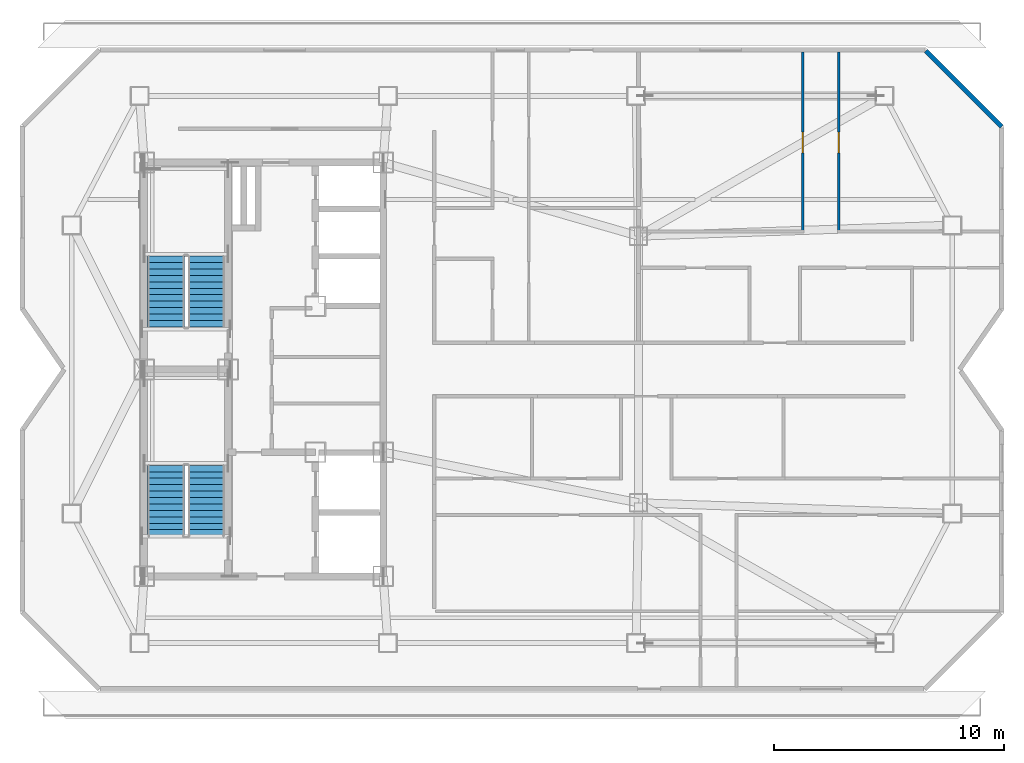
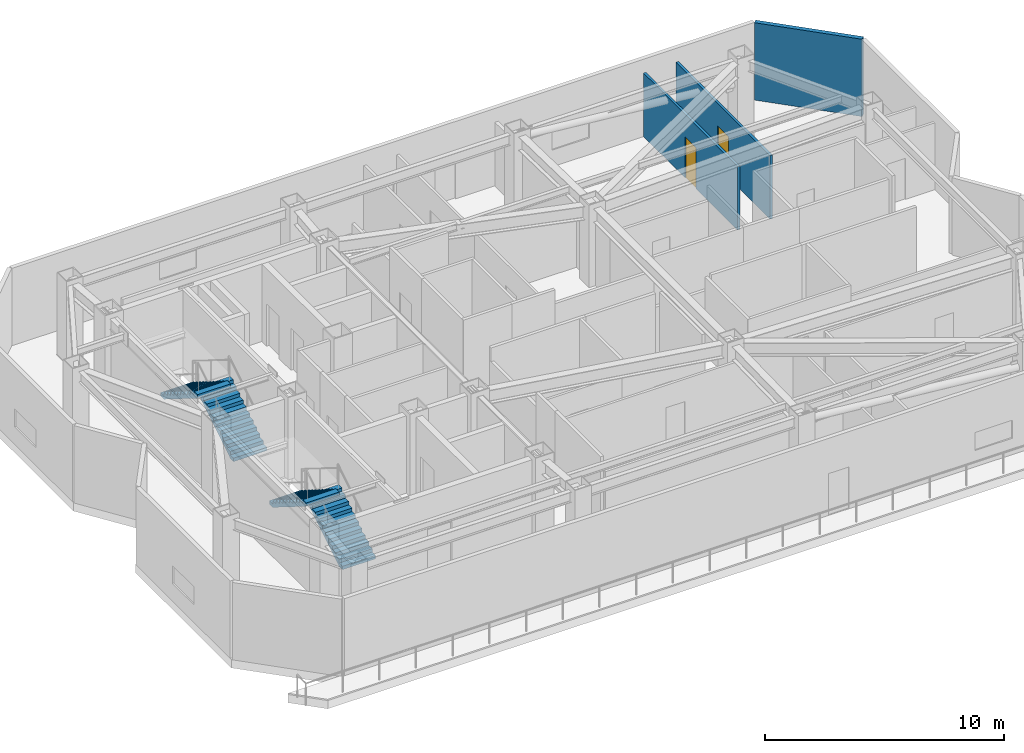
# One storey, part 7 of 11: 4 stair flights, 3 walls, 2 doors, 2 openings, 2 elements without a shape of their own.
"""IFC4 building model written with IfcOpenShell, lengths in metres."""

import ifcopenshell
import ifcopenshell.guid

model = None  # the IFC model being written
_history = None  # IfcOwnerHistory: only IFC2X3 demands one
_inside = {}  # id of a spatial element -> (the spatial element, [elements in it])
_under = {}  # id of a project, library or spatial element -> (it, [spatial elements below it])
_declared = {}  # id of a project -> (the project, [libraries it declares])
_typed = {}  # id of a type object -> (the type object, [elements of that type])
_made_of = {}  # id of a material, layer set ... -> (it, [elements and type objects made of it])


def new_model(schema):
    """Start an empty IFC model of exactly this schema.

    Asked for "IFC4X3", IfcOpenShell would pick the latest addendum, in which some entities
    have other attributes; the version numbers below select the first issue.
    IFC2X3 requires an IfcOwnerHistory on every rooted entity: one is made here for all.
    """
    global model, _history
    if schema == "IFC4X3":
        model = ifcopenshell.file(schema_version=(4, 3, 0, 0))
    else:
        model = ifcopenshell.file(schema=schema)
    _inside.clear()
    _under.clear()
    _declared.clear()
    _typed.clear()
    _made_of.clear()
    _history = None
    if model.schema == "IFC2X3":
        org = make("IfcOrganization", Name="unknown")
        user = make(
            "IfcPersonAndOrganization",
            ThePerson=make("IfcPerson", FamilyName="unknown"),
            TheOrganization=org,
        )
        app = make(
            "IfcApplication",
            ApplicationDeveloper=org,
            Version="unknown",
            ApplicationFullName="unknown",
            ApplicationIdentifier="unknown",
        )
        _history = make(
            "IfcOwnerHistory",
            OwningUser=user,
            OwningApplication=app,
            ChangeAction="ADDED",
            CreationDate=0,
        )
    return model


def make(cls, **values):
    """One entity of the class cls with the attributes given. An attribute that is None is left unset."""
    return model.create_entity(
        cls, **{name: value for name, value in values.items() if value is not None}
    )


def rooted(cls, **values):
    """An entity with a GlobalId (a new one), such as an element, a storey or a relation."""
    return make(cls, GlobalId=ifcopenshell.guid.new(), OwnerHistory=_history, **values)


def si_unit(unit_type, name, prefix=None):
    """IfcSIUnit, for example si_unit("LENGTHUNIT", "METRE", prefix="MILLI")."""
    return make("IfcSIUnit", UnitType=unit_type, Prefix=prefix, Name=name)


def assignment(units):
    """IfcUnitAssignment: the units of a project."""
    return None if units is None else make("IfcUnitAssignment", Units=units)


def point(xyz):
    """IfcCartesianPoint."""
    return None if xyz is None else make("IfcCartesianPoint", Coordinates=xyz)


def direction(xyz):
    """IfcDirection."""
    return None if xyz is None else make("IfcDirection", DirectionRatios=xyz)


def frame(location, z_axis=None, x_axis=None):
    """IfcAxis2Placement3D, a coordinate frame: its origin and axes. An axis left out is left unset."""
    return make(
        "IfcAxis2Placement3D",
        Location=point(location),
        Axis=direction(z_axis),
        RefDirection=direction(x_axis),
    )


def frame_2d(location, x_axis=None):
    """IfcAxis2Placement2D, a coordinate frame in the plane: its origin and x axis."""
    return make(
        "IfcAxis2Placement2D", Location=point(location), RefDirection=direction(x_axis)
    )


def origin():
    """The frame at (0, 0, 0) with its axes left unset."""
    return frame((0.0, 0.0, 0.0))


def place(relative_to, where):
    """IfcLocalPlacement: puts the frame where relative to a parent placement (None: the world)."""
    return make(
        "IfcLocalPlacement", PlacementRelTo=relative_to, RelativePlacement=where
    )


def context(
    kind, dimensions, precision=None, world=None, true_north=None, identifier=None
):
    """IfcGeometricRepresentationContext, for example the 3D "Model" context."""
    return make(
        "IfcGeometricRepresentationContext",
        ContextIdentifier=identifier,
        ContextType=kind,
        CoordinateSpaceDimension=dimensions,
        Precision=precision,
        WorldCoordinateSystem=world,
        TrueNorth=true_north,
    )


def subcontext(parent, identifier, kind, view, scale=None):
    """IfcGeometricRepresentationSubContext, for example "Body" below "Model"."""
    return make(
        "IfcGeometricRepresentationSubContext",
        ContextIdentifier=identifier,
        ContextType=kind,
        ParentContext=parent,
        TargetScale=scale,
        TargetView=view,
    )


def project(units=None, contexts=None):
    """IfcProject with its units and contexts."""
    return rooted(
        "IfcProject",
        Name="project",
        RepresentationContexts=contexts,
        UnitsInContext=assignment(units),
    )


def spatial(cls, under=None, at=None, **own):
    """A site, building, storey or space (cls), placed at a placement, below another one or the project."""
    s = rooted(cls, ObjectPlacement=at, **own)
    if under is not None:
        _under.setdefault(under.id(), (under, []))[1].append(s)
    return s


def polyline(points):
    """IfcPolyline through the points."""
    return make("IfcPolyline", Points=[point(p) for p in points])


def profile(cls, at=None, kind="AREA", **sizes):
    """A parametric profile (cls). Its sizes go by their IFC names, for example OverallWidth=200.0."""
    return make(cls, ProfileType=kind, Position=at, **sizes)


def rectangle(**sizes):
    """IfcRectangleProfileDef."""
    return profile("IfcRectangleProfileDef", **sizes)


def outline(outer, holes=None, kind="AREA"):
    """IfcArbitraryClosedProfileDef: a profile drawn as a closed curve; with holes, ...WithVoids."""
    if holes is None:
        return make("IfcArbitraryClosedProfileDef", ProfileType=kind, OuterCurve=outer)
    return make(
        "IfcArbitraryProfileDefWithVoids",
        ProfileType=kind,
        OuterCurve=outer,
        InnerCurves=holes,
    )


def extrude(swept, where, along, depth):
    """IfcExtrudedAreaSolid: the profile swept, set in the frame where, extruded along a direction by depth."""
    return make(
        "IfcExtrudedAreaSolid",
        SweptArea=swept,
        Position=where,
        ExtrudedDirection=direction(along),
        Depth=depth,
    )


def shape(context_of_items, identifier, shape_type, items):
    """IfcShapeRepresentation: the items that make up one representation, for example the "Body"."""
    return make(
        "IfcShapeRepresentation",
        ContextOfItems=context_of_items,
        RepresentationIdentifier=identifier,
        RepresentationType=shape_type,
        Items=items,
    )


def material(Name=None, Category=None):
    """IfcMaterial."""
    return make("IfcMaterial", Name=Name, Category=Category)


def layer(
    of_material, thickness, ventilated=None, Name=None, Category=None, Priority=None
):
    """IfcMaterialLayer: one layer of a wall or slab, of a material (None: an air gap)."""
    return make(
        "IfcMaterialLayer",
        Material=of_material,
        LayerThickness=thickness,
        IsVentilated=ventilated,
        Name=Name,
        Category=Category,
        Priority=Priority,
    )


def layer_set(layers, Name=None):
    """IfcMaterialLayerSet."""
    return make("IfcMaterialLayerSet", MaterialLayers=layers, LayerSetName=Name)


def made_of(thing, what):
    """Note that an element or type object is made of a material, layer set ...; save() writes the relation."""
    if what is not None:
        _made_of.setdefault(what.id(), (what, []))[1].append(thing)
    return thing


def type_object(cls, material=None, **own):
    """A type object (cls), such as IfcWallType, which elements share."""
    return made_of(rooted(cls, **own), material)


def element(
    cls,
    number,
    at=None,
    inside=None,
    cuts=None,
    type_object=None,
    material=None,
    context=None,
    identifier="Body",
    shape_type=None,
    held_by="IfcProductDefinitionShape",
    body=None,
    shapes=None,
    **own,
):
    """One element of the class cls, such as IfcWall. Its Tag is "e" and its number.

    at: its placement. inside: the storey or other place that contains it. cuts: it is an
    opening in that element (IfcRelVoidsElement). A single representation is given by context,
    identifier, shape_type and body (its items); several are given by shapes. held_by: the class
    of the entity that holds the representations. save() writes the other relations.
    """
    e = rooted(cls, Tag="e%d" % number, ObjectPlacement=at, **own)
    if body is not None:
        shapes = [shape(context, identifier, shape_type, body)]
    if shapes is not None:
        e.Representation = make(held_by, Representations=shapes)
    if inside is not None:
        _inside.setdefault(inside.id(), (inside, []))[1].append(e)
    if cuts is not None:
        rooted(
            "IfcRelVoidsElement", RelatingBuildingElement=cuts, RelatedOpeningElement=e
        )
    if type_object is not None:
        _typed.setdefault(type_object.id(), (type_object, []))[1].append(e)
    return made_of(e, material)


def fill(opening, filler):
    """IfcRelFillsElement: the door or window that sits in an opening."""
    return rooted(
        "IfcRelFillsElement",
        RelatingOpeningElement=opening,
        RelatedBuildingElement=filler,
    )


def aggregate(whole, parts):
    """IfcRelAggregates: a whole, such as a stair, and the parts it consists of."""
    return rooted("IfcRelAggregates", RelatingObject=whole, RelatedObjects=parts)


def save(model, path):
    """Write the relations noted so far, then the file.

    IfcRelAggregates (storeys below a building ...), IfcRelContainedInSpatialStructure (elements
    in a storey), IfcRelDefinesByType, IfcRelAssociatesMaterial and IfcRelDeclares: one each for
    every whole, place, type object, material and project.
    """
    for whole, parts in _under.values():
        aggregate(whole, parts)
    for where, things in _inside.values():
        rooted(
            "IfcRelContainedInSpatialStructure",
            RelatedElements=things,
            RelatingStructure=where,
        )
    for kind, things in _typed.values():
        rooted("IfcRelDefinesByType", RelatedObjects=things, RelatingType=kind)
    for what, things in _made_of.values():
        rooted("IfcRelAssociatesMaterial", RelatedObjects=things, RelatingMaterial=what)
    for by, libraries in _declared.values():
        rooted("IfcRelDeclares", RelatingContext=by, RelatedDefinitions=libraries)
    model.write(path)


model = new_model("IFC4")

# Units and contexts
model_context = context("Model", 3, precision=1e-05, world=origin(), true_north=direction((0.0, 1.0)))
body_context = subcontext(model_context, "Body", "Model", "MODEL_VIEW")
ifc_project = project(units=[si_unit("LENGTHUNIT", "METRE"), si_unit("AREAUNIT", "SQUARE_METRE"), si_unit("VOLUMEUNIT", "CUBIC_METRE"), si_unit("PLANEANGLEUNIT", "RADIAN"), si_unit("MASSUNIT", "GRAM", prefix="KILO")], contexts=[model_context])

# Site, building, storey
site_placement = place(None, origin())
site = spatial("IfcSite", under=ifc_project, at=site_placement, CompositionType="ELEMENT")
building_placement = place(site_placement, origin())
building = spatial("IfcBuilding", under=site, at=building_placement, Name="Khamvora Tower", CompositionType="ELEMENT")
storey_placement = place(building_placement, frame((0.0, 0.0, 277.85009765625)))
storey = spatial("IfcBuildingStorey", under=building, at=storey_placement, Name="L71", CompositionType="ELEMENT", Elevation=277.85009765625)

# Wall
ifc_material_1 = material(Name="Precast concrete C40/50", Category="concrete")
ifc_layer_1 = layer(ifc_material_1, 0.199951171875)
ifc_layer_set_1 = layer_set([ifc_layer_1], Name="Precast concrete C40/50")
wall_type_1 = type_object("IfcWallType", Name="WAL-EXT-200", PredefinedType="STANDARD", material=ifc_layer_set_1)
wall_1_placement = place(storey_placement, frame((63.001953125, 41.85693359375, 0.0), z_axis=(0.0, 0.0, 1.0), x_axis=(0.707132953363, -0.707080608041, 0.0)))
element("IfcWall", 1, at=wall_1_placement, inside=storey, type_object=wall_type_1, Name="L71 exterior facade wall 08.1", PredefinedType="STANDARD", context=body_context, shape_type="SweptSolid", body=[
    extrude(rectangle(XDim=4.6640625, YDim=0.199951171875, at=frame_2d((2.33203125, 0.0))), origin(), (0.0, 0.0, 1.0), 3.949951171875),
])

# Wall, opening, door
ifc_material_2 = material(Name="Gypsum Plasterboard Partition", Category="gypsum")
ifc_layer_2 = layer(ifc_material_2, 0.1201171875)
ifc_layer_set_2 = layer_set([ifc_layer_2], Name="Gypsum Plasterboard Partition")
wall_type_2 = type_object("IfcWallType", Name="WAL-PART-120", PredefinedType="PARTITIONING", material=ifc_layer_set_2)
wall_2_placement = place(storey_placement, frame((57.64501953125, 33.93896484375, 0.0), z_axis=(0.0, 0.0, 1.0), x_axis=(0.0, 1.0, 0.0)))
wall_2 = element("IfcWall", 2, at=wall_2_placement, inside=storey, type_object=wall_type_2, Name="L71 interior partition wall 059", PredefinedType="PARTITIONING", context=body_context, shape_type="SweptSolid", body=[
    extrude(rectangle(XDim=7.869140625, YDim=0.1201171875, at=frame_2d((3.9345703125, 0.0))), origin(), (0.0, 0.0, 1.0), 3.244873046875),
])
opening_1_placement = place(wall_2_placement, frame((3.48388671875, 0.0, 0.0)))
opening_1 = element("IfcOpeningElement", 3, at=opening_1_placement, cuts=wall_2, Name="Opening D-RM1", PredefinedType="OPENING", context=body_context, shape_type="SweptSolid", body=[
    extrude(rectangle(XDim=0.89990234375, YDim=2.10009765625, at=frame_2d((0.449951171875, 1.050048828125))), frame((0.0, 0.070068359375, 0.0), z_axis=(0.0, -1.0, 0.0), x_axis=(1.0, 0.0, 0.0)), (0.0, 0.0, 1.0), 0.14013671875),
])
ifc_material_3 = material(Name="Powder-Coated Steel and Hardwood Leaf", Category="steel")
door_type = type_object("IfcDoorType", Name="DOR-ROOM-900", OperationType="NOTDEFINED", PredefinedType="DOOR", material=ifc_material_3)
door_1_placement = place(opening_1_placement, origin())
door_1 = element("IfcDoor", 4, at=door_1_placement, inside=storey, type_object=door_type, Name="L71 interior door 71DH-71DR1", OperationType="SINGLE_SWING_RIGHT", OverallHeight=2.10009765625, OverallWidth=0.89990234375, PredefinedType="DOOR", context=body_context, shape_type="SweptSolid", body=[
    extrude(rectangle(XDim=0.89990234375, YDim=2.10009765625, at=frame_2d((0.449951171875, 1.050048828125))), frame((0.0, 0.02490234375, 0.0), z_axis=(0.0, -1.0, 0.0), x_axis=(1.0, 0.0, 0.0)), (0.0, 0.0, 1.0), 0.050048828125),
])
fill(opening_1, door_1)

wall_3_placement = place(storey_placement, frame((59.215087890625, 41.80810546875, 0.0), z_axis=(0.0, 0.0, 1.0), x_axis=(0.0, -1.0, 0.0)))
wall_3 = element("IfcWall", 5, at=wall_3_placement, inside=storey, type_object=wall_type_2, Name="L71 interior partition wall 060", PredefinedType="PARTITIONING", context=body_context, shape_type="SweptSolid", body=[
    extrude(rectangle(XDim=7.869140625, YDim=0.1201171875, at=frame_2d((3.9345703125, 0.0))), origin(), (0.0, 0.0, 1.0), 3.244873046875),
])
opening_2_placement = place(wall_3_placement, frame((3.48388671875, 0.0, 0.0)))
opening_2 = element("IfcOpeningElement", 6, at=opening_2_placement, cuts=wall_3, Name="Opening D-RM1", PredefinedType="OPENING", context=body_context, shape_type="SweptSolid", body=[
    extrude(rectangle(XDim=0.89990234375, YDim=2.10009765625, at=frame_2d((0.449951171875, 1.050048828125))), frame((0.0, 0.070068359375, 0.0), z_axis=(0.0, -1.0, 0.0), x_axis=(1.0, 0.0, 0.0)), (0.0, 0.0, 1.0), 0.14013671875),
])
door_2_placement = place(opening_2_placement, origin())
door_2 = element("IfcDoor", 7, at=door_2_placement, inside=storey, type_object=door_type, Name="L71 interior door 71DH-71DR2", OperationType="SINGLE_SWING_LEFT", OverallHeight=2.10009765625, OverallWidth=0.89990234375, PredefinedType="DOOR", context=body_context, shape_type="SweptSolid", body=[
    extrude(rectangle(XDim=0.89990234375, YDim=2.10009765625, at=frame_2d((0.449951171875, 1.050048828125))), frame((0.0, 0.02490234375, 0.0), z_axis=(0.0, -1.0, 0.0), x_axis=(1.0, 0.0, 0.0)), (0.0, 0.0, 1.0), 0.050048828125),
])
fill(opening_2, door_2)

# Stair, stair flights
ifc_material_4 = material(Name="Concrete C40/50", Category="concrete")
stair_type_1 = type_object("IfcStairType", Name="STR-ST-01", PredefinedType="HALF_TURN_STAIR", material=ifc_material_4)
stair_1_placement = place(storey_placement, origin())
stair_1 = element("IfcStair", 8, at=stair_1_placement, inside=storey, type_object=stair_type_1, Name="L71 South Tower Exit Stair ST-01", PredefinedType="HALF_TURN_STAIR")
stair_flight_type_1 = type_object("IfcStairFlightType", Name="STF-ST-01", PredefinedType="STRAIGHT", material=ifc_material_4)
stair_flight_1_placement = place(storey_placement, frame((31.699951171875, 20.75, 0.0), z_axis=(0.0, 0.0, 1.0), x_axis=(0.0, 1.0, 0.0)))
stair_flight_1 = element("IfcStairFlight", 9, at=stair_flight_1_placement, type_object=stair_flight_type_1, Name="ST-01 flight 1", NumberOfRisers=12, NumberOfTreads=11, PredefinedType="STRAIGHT", RiserHeight=0.175, TreadLength=0.28, context=body_context, shape_type="SweptSolid", body=[
    extrude(outline(polyline([(0.0, 0.0), (0.0, 0.175048828125), (0.280029296875, 0.175048828125), (0.280029296875, 0.35009765625), (0.56005859375, 0.35009765625), (0.56005859375, 0.52490234375), (0.840087890625, 0.52490234375), (0.840087890625, 0.699951171875), (1.1201171875, 0.699951171875), (1.1201171875, 0.875), (1.39990234375, 0.875), (1.39990234375, 1.050048828125), (1.679931640625, 1.050048828125), (1.679931640625, 1.22509765625), (1.9599609375, 1.22509765625), (1.9599609375, 1.39990234375), (2.239990234375, 1.39990234375), (2.239990234375, 1.574951171875), (2.52001953125, 1.574951171875), (2.52001953125, 1.75), (2.800048828125, 1.75), (2.800048828125, 1.925048828125), (3.080078125, 1.925048828125), (3.080078125, 2.10009765625), (3.080078125, 1.748291015625), (0.28271484375, 0.0), (0.0, 0.0)])), frame((0.0, 0.800048828125, 0.0), z_axis=(0.0, -1.0, 0.0), x_axis=(1.0, 0.0, 0.0)), (0.0, 0.0, 1.0), 1.60009765625),
])
stair_flight_2_placement = place(storey_placement, frame((29.949951171875, 23.830078125, 2.099853515625), z_axis=(0.0, 0.0, 1.0), x_axis=(0.0, -1.0, 0.0)))
stair_flight_2 = element("IfcStairFlight", 10, at=stair_flight_2_placement, type_object=stair_flight_type_1, Name="ST-01 flight 2", NumberOfRisers=12, NumberOfTreads=11, PredefinedType="STRAIGHT", RiserHeight=0.175, TreadLength=0.28, context=body_context, shape_type="SweptSolid", body=[
    extrude(outline(polyline([(0.0, 0.0), (0.0, 0.175048828125), (0.280029296875, 0.175048828125), (0.280029296875, 0.35009765625), (0.56005859375, 0.35009765625), (0.56005859375, 0.52490234375), (0.840087890625, 0.52490234375), (0.840087890625, 0.699951171875), (1.1201171875, 0.699951171875), (1.1201171875, 0.875), (1.39990234375, 0.875), (1.39990234375, 1.050048828125), (1.679931640625, 1.050048828125), (1.679931640625, 1.22509765625), (1.9599609375, 1.22509765625), (1.9599609375, 1.39990234375), (2.239990234375, 1.39990234375), (2.239990234375, 1.574951171875), (2.52001953125, 1.574951171875), (2.52001953125, 1.75), (2.800048828125, 1.75), (2.800048828125, 1.925048828125), (3.080078125, 1.925048828125), (3.080078125, 2.10009765625), (3.080078125, 1.748291015625), (0.28271484375, 0.0), (0.0, 0.0)])), frame((0.0, 0.800048828125, 0.0), z_axis=(0.0, -1.0, 0.0), x_axis=(1.0, 0.0, 0.0)), (0.0, 0.0, 1.0), 1.60009765625),
])
aggregate(stair_1, [stair_flight_1, stair_flight_2])

stair_type_2 = type_object("IfcStairType", Name="STR-ST-02", PredefinedType="HALF_TURN_STAIR", material=ifc_material_4)
stair_2_placement = place(storey_placement, origin())
stair_2 = element("IfcStair", 11, at=stair_2_placement, inside=storey, type_object=stair_type_2, Name="L71 North Tower Exit Stair ST-02", PredefinedType="HALF_TURN_STAIR")
stair_flight_type_2 = type_object("IfcStairFlightType", Name="STF-ST-02", PredefinedType="STRAIGHT", material=ifc_material_4)
stair_flight_3_placement = place(storey_placement, frame((31.699951171875, 29.85009765625, 0.0), z_axis=(0.0, 0.0, 1.0), x_axis=(0.0, 1.0, 0.0)))
stair_flight_3 = element("IfcStairFlight", 12, at=stair_flight_3_placement, type_object=stair_flight_type_2, Name="ST-02 flight 1", NumberOfRisers=12, NumberOfTreads=11, PredefinedType="STRAIGHT", RiserHeight=0.175, TreadLength=0.28, context=body_context, shape_type="SweptSolid", body=[
    extrude(outline(polyline([(0.0, 0.0), (0.0, 0.175048828125), (0.280029296875, 0.175048828125), (0.280029296875, 0.35009765625), (0.56005859375, 0.35009765625), (0.56005859375, 0.52490234375), (0.840087890625, 0.52490234375), (0.840087890625, 0.699951171875), (1.1201171875, 0.699951171875), (1.1201171875, 0.875), (1.39990234375, 0.875), (1.39990234375, 1.050048828125), (1.679931640625, 1.050048828125), (1.679931640625, 1.22509765625), (1.9599609375, 1.22509765625), (1.9599609375, 1.39990234375), (2.239990234375, 1.39990234375), (2.239990234375, 1.574951171875), (2.52001953125, 1.574951171875), (2.52001953125, 1.75), (2.800048828125, 1.75), (2.800048828125, 1.925048828125), (3.080078125, 1.925048828125), (3.080078125, 2.10009765625), (3.080078125, 1.748291015625), (0.28271484375, 0.0), (0.0, 0.0)])), frame((0.0, 0.800048828125, 0.0), z_axis=(0.0, -1.0, 0.0), x_axis=(1.0, 0.0, 0.0)), (0.0, 0.0, 1.0), 1.60009765625),
])
stair_flight_4_placement = place(storey_placement, frame((29.949951171875, 32.929931640625, 2.099853515625), z_axis=(0.0, 0.0, 1.0), x_axis=(0.0, -1.0, 0.0)))
stair_flight_4 = element("IfcStairFlight", 13, at=stair_flight_4_placement, type_object=stair_flight_type_2, Name="ST-02 flight 2", NumberOfRisers=12, NumberOfTreads=11, PredefinedType="STRAIGHT", RiserHeight=0.175, TreadLength=0.28, context=body_context, shape_type="SweptSolid", body=[
    extrude(outline(polyline([(0.0, 0.0), (0.0, 0.175048828125), (0.280029296875, 0.175048828125), (0.280029296875, 0.35009765625), (0.56005859375, 0.35009765625), (0.56005859375, 0.52490234375), (0.840087890625, 0.52490234375), (0.840087890625, 0.699951171875), (1.1201171875, 0.699951171875), (1.1201171875, 0.875), (1.39990234375, 0.875), (1.39990234375, 1.050048828125), (1.679931640625, 1.050048828125), (1.679931640625, 1.22509765625), (1.9599609375, 1.22509765625), (1.9599609375, 1.39990234375), (2.239990234375, 1.39990234375), (2.239990234375, 1.574951171875), (2.52001953125, 1.574951171875), (2.52001953125, 1.75), (2.800048828125, 1.75), (2.800048828125, 1.925048828125), (3.080078125, 1.925048828125), (3.080078125, 2.10009765625), (3.080078125, 1.748291015625), (0.28271484375, 0.0), (0.0, 0.0)])), frame((0.0, 0.800048828125, 0.0), z_axis=(0.0, -1.0, 0.0), x_axis=(1.0, 0.0, 0.0)), (0.0, 0.0, 1.0), 1.60009765625),
])
aggregate(stair_2, [stair_flight_3, stair_flight_4])

save(model, "model.ifc")
